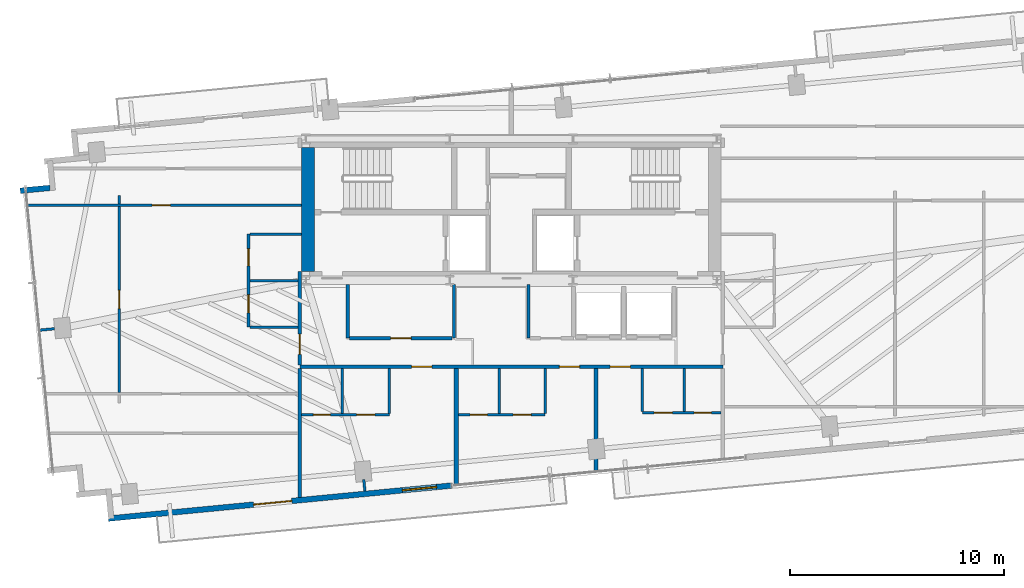
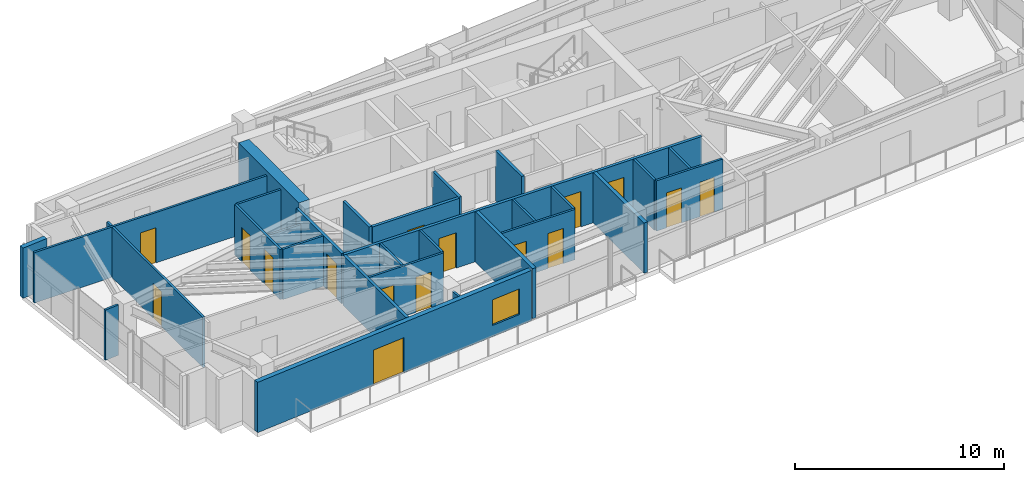
# One storey, part 13 of 18: 30 walls, 16 doors, 1 window, 17 openings.
"""IFC4 building model written with IfcOpenShell, lengths in metres."""

import ifcopenshell
import ifcopenshell.guid

model = None  # the IFC model being written
_history = None  # IfcOwnerHistory: only IFC2X3 demands one
_inside = {}  # id of a spatial element -> (the spatial element, [elements in it])
_under = {}  # id of a project, library or spatial element -> (it, [spatial elements below it])
_declared = {}  # id of a project -> (the project, [libraries it declares])
_typed = {}  # id of a type object -> (the type object, [elements of that type])
_made_of = {}  # id of a material, layer set ... -> (it, [elements and type objects made of it])


def new_model(schema):
    """Start an empty IFC model of exactly this schema.

    Asked for "IFC4X3", IfcOpenShell would pick the latest addendum, in which some entities
    have other attributes; the version numbers below select the first issue.
    IFC2X3 requires an IfcOwnerHistory on every rooted entity: one is made here for all.
    """
    global model, _history
    if schema == "IFC4X3":
        model = ifcopenshell.file(schema_version=(4, 3, 0, 0))
    else:
        model = ifcopenshell.file(schema=schema)
    _inside.clear()
    _under.clear()
    _declared.clear()
    _typed.clear()
    _made_of.clear()
    _history = None
    if model.schema == "IFC2X3":
        org = make("IfcOrganization", Name="unknown")
        user = make(
            "IfcPersonAndOrganization",
            ThePerson=make("IfcPerson", FamilyName="unknown"),
            TheOrganization=org,
        )
        app = make(
            "IfcApplication",
            ApplicationDeveloper=org,
            Version="unknown",
            ApplicationFullName="unknown",
            ApplicationIdentifier="unknown",
        )
        _history = make(
            "IfcOwnerHistory",
            OwningUser=user,
            OwningApplication=app,
            ChangeAction="ADDED",
            CreationDate=0,
        )
    return model


def make(cls, **values):
    """One entity of the class cls with the attributes given. An attribute that is None is left unset."""
    return model.create_entity(
        cls, **{name: value for name, value in values.items() if value is not None}
    )


def rooted(cls, **values):
    """An entity with a GlobalId (a new one), such as an element, a storey or a relation."""
    return make(cls, GlobalId=ifcopenshell.guid.new(), OwnerHistory=_history, **values)


def si_unit(unit_type, name, prefix=None):
    """IfcSIUnit, for example si_unit("LENGTHUNIT", "METRE", prefix="MILLI")."""
    return make("IfcSIUnit", UnitType=unit_type, Prefix=prefix, Name=name)


def assignment(units):
    """IfcUnitAssignment: the units of a project."""
    return None if units is None else make("IfcUnitAssignment", Units=units)


def point(xyz):
    """IfcCartesianPoint."""
    return None if xyz is None else make("IfcCartesianPoint", Coordinates=xyz)


def direction(xyz):
    """IfcDirection."""
    return None if xyz is None else make("IfcDirection", DirectionRatios=xyz)


def frame(location, z_axis=None, x_axis=None):
    """IfcAxis2Placement3D, a coordinate frame: its origin and axes. An axis left out is left unset."""
    return make(
        "IfcAxis2Placement3D",
        Location=point(location),
        Axis=direction(z_axis),
        RefDirection=direction(x_axis),
    )


def frame_2d(location, x_axis=None):
    """IfcAxis2Placement2D, a coordinate frame in the plane: its origin and x axis."""
    return make(
        "IfcAxis2Placement2D", Location=point(location), RefDirection=direction(x_axis)
    )


def origin():
    """The frame at (0, 0, 0) with its axes left unset."""
    return frame((0.0, 0.0, 0.0))


def place(relative_to, where):
    """IfcLocalPlacement: puts the frame where relative to a parent placement (None: the world)."""
    return make(
        "IfcLocalPlacement", PlacementRelTo=relative_to, RelativePlacement=where
    )


def context(
    kind, dimensions, precision=None, world=None, true_north=None, identifier=None
):
    """IfcGeometricRepresentationContext, for example the 3D "Model" context."""
    return make(
        "IfcGeometricRepresentationContext",
        ContextIdentifier=identifier,
        ContextType=kind,
        CoordinateSpaceDimension=dimensions,
        Precision=precision,
        WorldCoordinateSystem=world,
        TrueNorth=true_north,
    )


def subcontext(parent, identifier, kind, view, scale=None):
    """IfcGeometricRepresentationSubContext, for example "Body" below "Model"."""
    return make(
        "IfcGeometricRepresentationSubContext",
        ContextIdentifier=identifier,
        ContextType=kind,
        ParentContext=parent,
        TargetScale=scale,
        TargetView=view,
    )


def project(units=None, contexts=None):
    """IfcProject with its units and contexts."""
    return rooted(
        "IfcProject",
        Name="project",
        RepresentationContexts=contexts,
        UnitsInContext=assignment(units),
    )


def spatial(cls, under=None, at=None, **own):
    """A site, building, storey or space (cls), placed at a placement, below another one or the project."""
    s = rooted(cls, ObjectPlacement=at, **own)
    if under is not None:
        _under.setdefault(under.id(), (under, []))[1].append(s)
    return s


def profile(cls, at=None, kind="AREA", **sizes):
    """A parametric profile (cls). Its sizes go by their IFC names, for example OverallWidth=200.0."""
    return make(cls, ProfileType=kind, Position=at, **sizes)


def rectangle(**sizes):
    """IfcRectangleProfileDef."""
    return profile("IfcRectangleProfileDef", **sizes)


def extrude(swept, where, along, depth):
    """IfcExtrudedAreaSolid: the profile swept, set in the frame where, extruded along a direction by depth."""
    return make(
        "IfcExtrudedAreaSolid",
        SweptArea=swept,
        Position=where,
        ExtrudedDirection=direction(along),
        Depth=depth,
    )


def shape(context_of_items, identifier, shape_type, items):
    """IfcShapeRepresentation: the items that make up one representation, for example the "Body"."""
    return make(
        "IfcShapeRepresentation",
        ContextOfItems=context_of_items,
        RepresentationIdentifier=identifier,
        RepresentationType=shape_type,
        Items=items,
    )


def source(mapping_origin, context_of_items, identifier, shape_type, items):
    """IfcRepresentationMap: a shape defined once, which mapped items show again and again."""
    return make(
        "IfcRepresentationMap",
        MappingOrigin=mapping_origin,
        MappedRepresentation=shape(context_of_items, identifier, shape_type, items),
    )


def transform(
    local_origin,
    x_axis=None,
    y_axis=None,
    z_axis=None,
    scale=None,
    scale2=None,
    scale3=None,
    uniform=True,
):
    """IfcCartesianTransformationOperator3D, or its non-uniform kind. x_axis, y_axis, z_axis: its Axis1, 2, 3."""
    if uniform:
        return make(
            "IfcCartesianTransformationOperator3D",
            Axis1=direction(x_axis),
            Axis2=direction(y_axis),
            LocalOrigin=point(local_origin),
            Scale=scale,
            Axis3=direction(z_axis),
        )
    return make(
        "IfcCartesianTransformationOperator3DnonUniform",
        Axis1=direction(x_axis),
        Axis2=direction(y_axis),
        LocalOrigin=point(local_origin),
        Scale=scale,
        Axis3=direction(z_axis),
        Scale2=scale2,
        Scale3=scale3,
    )


def mapped(mapping_source, mapping_target):
    """IfcMappedItem: shows the shape of a source again, moved by a transform."""
    return make(
        "IfcMappedItem", MappingSource=mapping_source, MappingTarget=mapping_target
    )


def material(Name=None, Category=None):
    """IfcMaterial."""
    return make("IfcMaterial", Name=Name, Category=Category)


def layer(
    of_material, thickness, ventilated=None, Name=None, Category=None, Priority=None
):
    """IfcMaterialLayer: one layer of a wall or slab, of a material (None: an air gap)."""
    return make(
        "IfcMaterialLayer",
        Material=of_material,
        LayerThickness=thickness,
        IsVentilated=ventilated,
        Name=Name,
        Category=Category,
        Priority=Priority,
    )


def layer_set(layers, Name=None):
    """IfcMaterialLayerSet."""
    return make("IfcMaterialLayerSet", MaterialLayers=layers, LayerSetName=Name)


def made_of(thing, what):
    """Note that an element or type object is made of a material, layer set ...; save() writes the relation."""
    if what is not None:
        _made_of.setdefault(what.id(), (what, []))[1].append(thing)
    return thing


def type_object(cls, material=None, **own):
    """A type object (cls), such as IfcWallType, which elements share."""
    return made_of(rooted(cls, **own), material)


def type_shapes(of_type, sources):
    """Give a type object the sources (RepresentationMaps) that its elements show as mapped items."""
    of_type.RepresentationMaps = sources


def element(
    cls,
    number,
    at=None,
    inside=None,
    cuts=None,
    type_object=None,
    material=None,
    context=None,
    identifier="Body",
    shape_type=None,
    held_by="IfcProductDefinitionShape",
    body=None,
    shapes=None,
    **own,
):
    """One element of the class cls, such as IfcWall. Its Tag is "e" and its number.

    at: its placement. inside: the storey or other place that contains it. cuts: it is an
    opening in that element (IfcRelVoidsElement). A single representation is given by context,
    identifier, shape_type and body (its items); several are given by shapes. held_by: the class
    of the entity that holds the representations. save() writes the other relations.
    """
    e = rooted(cls, Tag="e%d" % number, ObjectPlacement=at, **own)
    if body is not None:
        shapes = [shape(context, identifier, shape_type, body)]
    if shapes is not None:
        e.Representation = make(held_by, Representations=shapes)
    if inside is not None:
        _inside.setdefault(inside.id(), (inside, []))[1].append(e)
    if cuts is not None:
        rooted(
            "IfcRelVoidsElement", RelatingBuildingElement=cuts, RelatedOpeningElement=e
        )
    if type_object is not None:
        _typed.setdefault(type_object.id(), (type_object, []))[1].append(e)
    return made_of(e, material)


def fill(opening, filler):
    """IfcRelFillsElement: the door or window that sits in an opening."""
    return rooted(
        "IfcRelFillsElement",
        RelatingOpeningElement=opening,
        RelatedBuildingElement=filler,
    )


def aggregate(whole, parts):
    """IfcRelAggregates: a whole, such as a stair, and the parts it consists of."""
    return rooted("IfcRelAggregates", RelatingObject=whole, RelatedObjects=parts)


def save(model, path):
    """Write the relations noted so far, then the file.

    IfcRelAggregates (storeys below a building ...), IfcRelContainedInSpatialStructure (elements
    in a storey), IfcRelDefinesByType, IfcRelAssociatesMaterial and IfcRelDeclares: one each for
    every whole, place, type object, material and project.
    """
    for whole, parts in _under.values():
        aggregate(whole, parts)
    for where, things in _inside.values():
        rooted(
            "IfcRelContainedInSpatialStructure",
            RelatedElements=things,
            RelatingStructure=where,
        )
    for kind, things in _typed.values():
        rooted("IfcRelDefinesByType", RelatedObjects=things, RelatingType=kind)
    for what, things in _made_of.values():
        rooted("IfcRelAssociatesMaterial", RelatedObjects=things, RelatingMaterial=what)
    for by, libraries in _declared.values():
        rooted("IfcRelDeclares", RelatingContext=by, RelatedDefinitions=libraries)
    model.write(path)


model = new_model("IFC4")

# Units and contexts
model_context = context("Model", 3, precision=1e-05, world=origin(), true_north=direction((0.0, 1.0)))
body_context = subcontext(model_context, "Body", "Model", "MODEL_VIEW")
ifc_project = project(units=[si_unit("LENGTHUNIT", "METRE"), si_unit("AREAUNIT", "SQUARE_METRE"), si_unit("VOLUMEUNIT", "CUBIC_METRE"), si_unit("PLANEANGLEUNIT", "RADIAN"), si_unit("MASSUNIT", "GRAM", prefix="KILO")], contexts=[model_context])

# Site, building, storey
site_placement = place(None, origin())
site = spatial("IfcSite", under=ifc_project, at=site_placement, CompositionType="ELEMENT")
building_placement = place(site_placement, origin())
building = spatial("IfcBuilding", under=site, at=building_placement, Name="Astriad Promenade Condominiums", CompositionType="ELEMENT")
storey_placement = place(building_placement, frame((0.0, 0.0, 198.60009765625)))
storey = spatial("IfcBuildingStorey", under=building, at=storey_placement, Name="L57", CompositionType="ELEMENT", Elevation=198.60009765625)

# Wall
ifc_material_1 = material(Name="Concrete C50/60", Category="concrete")
ifc_layer_1 = layer(ifc_material_1, 0.60009765625)
ifc_layer_set_1 = layer_set([ifc_layer_1], Name="Concrete C50/60")
wall_type_1 = type_object("IfcWallType", Name="CW-SHEAR-600", PredefinedType="SHEAR", material=ifc_layer_set_1)
wall_1_placement = place(storey_placement, frame((26.5, 17.802001953125, 0.0), z_axis=(0.0, 0.0, 1.0), x_axis=(0.0, 1.0, 0.0)))
element("IfcWall", 1, at=wall_1_placement, inside=storey, type_object=wall_type_1, Name="CW-CORE-W-L57", PredefinedType="SHEAR", context=body_context, shape_type="SweptSolid", body=[
    extrude(rectangle(XDim=5.7958984375, YDim=0.60009765625, at=frame_2d((2.89794921875, 0.0))), origin(), (0.0, 0.0, 1.0), 3.199951171875),
])

# Wall, openings, doors
ifc_material_2 = material(Name="Fire-Rated Gypsum Partition")
ifc_layer_2 = layer(ifc_material_2, 0.159912109375)
ifc_layer_set_2 = layer_set([ifc_layer_2], Name="Fire-Rated Gypsum Partition")
wall_type_2 = type_object("IfcWallType", Name="WALL-CORR-160", PredefinedType="PARTITIONING", material=ifc_layer_set_2)
wall_2_placement = place(storey_placement, frame((26.1201171875, 13.360107421875, 0.0), z_axis=(0.0, 0.0, 1.0), x_axis=(1.0, 0.0, 0.0)))
wall_2 = element("IfcWall", 2, at=wall_2_placement, inside=storey, type_object=wall_type_2, Name="PT-COR-S-L57", PredefinedType="PARTITIONING", context=body_context, shape_type="SweptSolid", body=[
    extrude(rectangle(XDim=19.759765625, YDim=0.159912109375, at=frame_2d((9.8798828125, 0.0))), origin(), (0.0, 0.0, 1.0), 2.93994140625),
])
opening_1_placement = place(wall_2_placement, frame((5.220947265625, 0.0, 0.0)))
opening_1 = element("IfcOpeningElement", 3, at=opening_1_placement, cuts=wall_2, Name="Opening FD60-APT-095", PredefinedType="OPENING", context=body_context, shape_type="SweptSolid", body=[
    extrude(rectangle(XDim=0.949951171875, YDim=2.06005859375, at=frame_2d((0.47509765625, 1.030029296875))), frame((0.0, 0.08984375, 0.0), z_axis=(0.0, -1.0, 0.0), x_axis=(1.0, 0.0, 0.0)), (0.0, 0.0, 1.0), 0.179931640625),
])
opening_2_placement = place(wall_2_placement, frame((12.118896484375, 0.0, 0.0)))
opening_2 = element("IfcOpeningElement", 4, at=opening_2_placement, cuts=wall_2, Name="Opening FD60-APT-095", PredefinedType="OPENING", context=body_context, shape_type="SweptSolid", body=[
    extrude(rectangle(XDim=0.949951171875, YDim=2.06005859375, at=frame_2d((0.47509765625, 1.030029296875))), frame((0.0, 0.08984375, 0.0), z_axis=(0.0, -1.0, 0.0), x_axis=(1.0, 0.0, 0.0)), (0.0, 0.0, 1.0), 0.179931640625),
])
opening_3_placement = place(wall_2_placement, frame((14.491943359375, 0.0, 0.0)))
opening_3 = element("IfcOpeningElement", 5, at=opening_3_placement, cuts=wall_2, Name="Opening FD60-APT-095", PredefinedType="OPENING", context=body_context, shape_type="SweptSolid", body=[
    extrude(rectangle(XDim=0.949951171875, YDim=2.06005859375, at=frame_2d((0.47509765625, 1.030029296875))), frame((0.0, 0.08984375, 0.0), z_axis=(0.0, -1.0, 0.0), x_axis=(1.0, 0.0, 0.0)), (0.0, 0.0, 1.0), 0.179931640625),
])
ifc_material_3 = material(Name="Solid-Core Acoustic Timber Residence Entry Door", Category="wood")
door_type_1 = type_object("IfcDoorType", Name="FD60-APT-095", OperationType="NOTDEFINED", PredefinedType="DOOR", material=ifc_material_3)
shared_shape_1 = source(origin(), body_context, "Body", "SweptSolid", [
    extrude(rectangle(XDim=0.949951171875, YDim=2.06005859375, at=frame_2d((0.47509765625, 1.030029296875))), frame((0.0, 0.02490234375, 0.0), z_axis=(0.0, -1.0, 0.0), x_axis=(1.0, 0.0, 0.0)), (0.0, 0.0, 1.0), 0.050048828125),
])
type_shapes(door_type_1, [shared_shape_1])
door_1_placement = place(opening_1_placement, origin())
door_1 = element("IfcDoor", 6, at=door_1_placement, inside=storey, type_object=door_type_1, Name="D-ENT-L57-S1", OperationType="SINGLE_SWING_LEFT", OverallHeight=2.06005859375, OverallWidth=0.949951171875, PredefinedType="DOOR", context=body_context, shape_type="MappedRepresentation", body=[
    mapped(shared_shape_1, transform((0.0, 0.0, 0.0), scale=1.0)),
])
fill(opening_1, door_1)
door_2_placement = place(opening_2_placement, origin())
door_2 = element("IfcDoor", 7, at=door_2_placement, inside=storey, type_object=door_type_1, Name="D-ENT-L57-S2", OperationType="SINGLE_SWING_RIGHT", OverallHeight=2.06005859375, OverallWidth=0.949951171875, PredefinedType="DOOR", context=body_context, shape_type="MappedRepresentation", body=[
    mapped(shared_shape_1, transform((0.0, 0.0, 0.0), scale=1.0)),
])
fill(opening_2, door_2)
door_3_placement = place(opening_3_placement, origin())
door_3 = element("IfcDoor", 8, at=door_3_placement, inside=storey, type_object=door_type_1, Name="D-ENT-L57-S3", OperationType="SINGLE_SWING_LEFT", OverallHeight=2.06005859375, OverallWidth=0.949951171875, PredefinedType="DOOR", context=body_context, shape_type="MappedRepresentation", body=[
    mapped(shared_shape_1, transform((0.0, 0.0, 0.0), scale=1.0)),
])
fill(opening_3, door_3)

# Wall
wall_3_placement = place(storey_placement, frame((26.1201171875, 7.26123046875, 0.0), z_axis=(0.0, 0.0, 1.0), x_axis=(0.0, 1.0, 0.0)))
element("IfcWall", 9, at=wall_3_placement, inside=storey, type_object=wall_type_2, Name="PT-COR-W-L57", PredefinedType="PARTITIONING", context=body_context, shape_type="SweptSolid", body=[
    extrude(rectangle(XDim=6.016845703125, YDim=0.159912109375, at=frame_2d((3.00830078125, 0.0))), origin(), (0.0, 0.0, 1.0), 2.93994140625),
])

# Wall, opening, door
wall_4_placement = place(storey_placement, frame((26.1201171875, 13.44189453125, 0.0), z_axis=(0.0, 0.0, 1.0), x_axis=(0.0, 1.0, 0.0)))
wall_4 = element("IfcWall", 10, at=wall_4_placement, inside=storey, type_object=wall_type_2, Name="PT-COR-W-L57-S2", PredefinedType="PARTITIONING", context=body_context, shape_type="SweptSolid", body=[
    extrude(rectangle(XDim=4.360107421875, YDim=0.159912109375, at=frame_2d((2.18017578125, 0.0))), origin(), (0.0, 0.0, 1.0), 2.93994140625),
])
opening_4_placement = place(wall_4_placement, frame((0.492919921875, 0.0, 0.0)))
opening_4 = element("IfcOpeningElement", 11, at=opening_4_placement, cuts=wall_4, Name="Opening FD60-APT-095", PredefinedType="OPENING", context=body_context, shape_type="SweptSolid", body=[
    extrude(rectangle(XDim=0.949951171875, YDim=2.06005859375, at=frame_2d((0.47509765625, 1.030029296875))), frame((0.0, 0.08984375, 0.0), z_axis=(0.0, -1.0, 0.0), x_axis=(1.0, 0.0, 0.0)), (0.0, 0.0, 1.0), 0.179931640625),
])
door_4_placement = place(opening_4_placement, origin())
door_4 = element("IfcDoor", 12, at=door_4_placement, inside=storey, type_object=door_type_1, Name="D-ENT-L57-W1", OperationType="SINGLE_SWING_RIGHT", OverallHeight=2.06005859375, OverallWidth=0.949951171875, PredefinedType="DOOR", context=body_context, shape_type="MappedRepresentation", body=[
    mapped(shared_shape_1, transform((0.0, 0.0, 0.0), scale=1.0)),
])
fill(opening_4, door_4)

# Walls
for number, where, z_axis, x_axis, name in (
    (13, (28.360107421875, 14.699951171875, 0.0), (0.0, 0.0, 1.0), (0.0, 1.0, 0.0), "PT-Z3REC-W-L57"),
    (14, (33.320068359375, 14.699951171875, 0.0), (0.0, 0.0, 1.0), (0.0, 1.0, 0.0), "PT-Z3REC-E-L57"),
):
    element("IfcWall", number, at=place(storey_placement, frame(where, z_axis=z_axis, x_axis=x_axis)), inside=storey, type_object=wall_type_2, Name=name, PredefinedType="PARTITIONING", context=body_context, shape_type="SweptSolid", body=[
        extrude(rectangle(XDim=2.498046875, YDim=0.159912109375, at=frame_2d((1.2490234375, 0.0))), origin(), (0.0, 0.0, 1.0), 2.93994140625),
    ])

# Wall, opening, door
wall_5_placement = place(storey_placement, frame((28.44189453125, 14.699951171875, 0.0), z_axis=(0.0, 0.0, 1.0), x_axis=(1.0, 0.0, 0.0)))
wall_5 = element("IfcWall", 15, at=wall_5_placement, inside=storey, type_object=wall_type_2, Name="PT-Z3REC-S-L57", PredefinedType="PARTITIONING", context=body_context, shape_type="SweptSolid", body=[
    extrude(rectangle(XDim=4.796142578125, YDim=0.159912109375, at=frame_2d((2.39794921875, 0.0))), origin(), (0.0, 0.0, 1.0), 2.93994140625),
])
opening_5_placement = place(wall_5_placement, frame((1.923095703125, 0.0, 0.0)))
opening_5 = element("IfcOpeningElement", 16, at=opening_5_placement, cuts=wall_5, Name="Opening FD60-APT-095", PredefinedType="OPENING", context=body_context, shape_type="SweptSolid", body=[
    extrude(rectangle(XDim=0.949951171875, YDim=2.06005859375, at=frame_2d((0.47509765625, 1.030029296875))), frame((0.0, 0.08984375, 0.0), z_axis=(0.0, -1.0, 0.0), x_axis=(1.0, 0.0, 0.0)), (0.0, 0.0, 1.0), 0.179931640625),
])
door_5_placement = place(opening_5_placement, origin())
door_5 = element("IfcDoor", 17, at=door_5_placement, inside=storey, type_object=door_type_1, Name="D-Z3R-L57", OperationType="SINGLE_SWING_LEFT", OverallHeight=2.06005859375, OverallWidth=0.949951171875, PredefinedType="DOOR", context=body_context, shape_type="MappedRepresentation", body=[
    mapped(shared_shape_1, transform((0.0, 0.0, 0.0), scale=1.0)),
])
fill(opening_5, door_5)

# Walls
wall_6_placement = place(storey_placement, frame((36.800048828125, 14.699951171875, 0.0), z_axis=(0.0, 0.0, 1.0), x_axis=(0.0, 1.0, 0.0)))
element("IfcWall", 18, at=wall_6_placement, inside=storey, type_object=wall_type_2, Name="PT-Z3R2-W-L57", PredefinedType="PARTITIONING", context=body_context, shape_type="SweptSolid", body=[
    extrude(rectangle(XDim=2.498046875, YDim=0.159912109375, at=frame_2d((1.2490234375, 0.0))), origin(), (0.0, 0.0, 1.0), 2.93994140625),
])
ifc_material_4 = material(Name="Acoustic Double-Stud Gypsum Partition")
ifc_layer_3 = layer(ifc_material_4, 0.199951171875)
ifc_layer_set_3 = layer_set([ifc_layer_3], Name="Acoustic Double-Stud Gypsum Partition")
wall_type_3 = type_object("IfcWallType", Name="WALL-DEMISING-200", PredefinedType="PARTITIONING", material=ifc_layer_set_3)
wall_7_placement = place(storey_placement, frame((33.430908203125, 7.7822265625, 0.0), z_axis=(0.0, 0.0, 1.0), x_axis=(0.0, 1.0, 0.0)))
element("IfcWall", 19, at=wall_7_placement, inside=storey, type_object=wall_type_3, Name="PT-DEM-S1-L57", PredefinedType="PARTITIONING", context=body_context, shape_type="SweptSolid", body=[
    extrude(rectangle(XDim=5.495849609375, YDim=0.199951171875, at=frame_2d((2.748046875, 0.0))), origin(), (0.0, 0.0, 1.0), 2.93994140625),
])
wall_8_placement = place(storey_placement, frame((39.951904296875, 8.41015625, 0.0), z_axis=(0.0, 0.0, 1.0), x_axis=(0.0, 1.0, 0.0)))
element("IfcWall", 20, at=wall_8_placement, inside=storey, type_object=wall_type_3, Name="PT-DEM-S2-L57", PredefinedType="PARTITIONING", context=body_context, shape_type="SweptSolid", body=[
    extrude(rectangle(XDim=4.867919921875, YDim=0.199951171875, at=frame_2d((2.43408203125, 0.0))), origin(), (0.0, 0.0, 1.0), 2.93994140625),
])
ifc_material_5 = material(Name="Precast concrete C50/60", Category="concrete")
ifc_layer_4 = layer(ifc_material_5, 0.260009765625)
ifc_layer_set_4 = layer_set([ifc_layer_4], Name="Precast concrete C50/60")
wall_type_4 = type_object("IfcWallType", Name="WALL-EXT-TWR-260", PredefinedType="STANDARD", material=ifc_layer_set_4)
wall_9_placement = place(storey_placement, frame((13.058349609375, 21.583251953125, 0.0), z_axis=(0.0, 0.0, 1.0), x_axis=(0.99540774648, 0.095725744959, 0.0)))
element("IfcWall", 21, at=wall_9_placement, inside=storey, type_object=wall_type_4, Name="W-SER-L57-04", PredefinedType="STANDARD", context=body_context, shape_type="SweptSolid", body=[
    extrude(rectangle(XDim=1.39501953125, YDim=0.260009765625, at=frame_2d((0.697509765625, 0.0))), origin(), (0.0, 0.0, 1.0), 2.93994140625),
])

# Wall, openings, door, window
wall_10_placement = place(storey_placement, frame((33.201171875, 7.810302734375, 0.0), z_axis=(0.0, 0.0, 1.0), x_axis=(-0.995397074604, -0.095836652014, 0.0)))
wall_10 = element("IfcWall", 22, at=wall_10_placement, inside=storey, type_object=wall_type_4, Name="W-EXT-L57-S2", PredefinedType="STANDARD", context=body_context, shape_type="SweptSolid", body=[
    extrude(rectangle(XDim=16.10009765625, YDim=0.260009765625, at=frame_2d((8.050048828125, 0.0))), origin(), (0.0, 0.0, 1.0), 2.93994140625),
])
opening_6_placement = place(wall_10_placement, frame((7.489990234375, 0.0, 0.0)))
opening_6 = element("IfcOpeningElement", 23, at=opening_6_placement, cuts=wall_10, Name="Opening BD-1822-SLD", PredefinedType="OPENING", context=body_context, shape_type="SweptSolid", body=[
    extrude(rectangle(XDim=1.800048828125, YDim=2.06005859375, at=frame_2d((0.89990234375, 1.030029296875))), frame((0.0, 0.139892578125, 0.0), z_axis=(0.0, -1.0, 0.0), x_axis=(1.0, 0.0, 0.0)), (0.0, 0.0, 1.0), 0.280029296875),
])
opening_7_placement = place(wall_10_placement, frame((0.699951171875, 0.0, 0.64990234375)))
opening_7 = element("IfcOpeningElement", 24, at=opening_7_placement, cuts=wall_10, Name="Opening WIN-TWR-1620", PredefinedType="OPENING", context=body_context, shape_type="SweptSolid", body=[
    extrude(rectangle(XDim=1.60009765625, YDim=1.5, at=frame_2d((0.800048828125, 0.75))), frame((0.0, 0.139892578125, 0.0), z_axis=(0.0, -1.0, 0.0), x_axis=(1.0, 0.0, 0.0)), (0.0, 0.0, 1.0), 0.280029296875),
])
ifc_material_6 = material(Name="Thermally Broken Aluminium Sliding Balcony Door", Category="aluminium")
door_type_2 = type_object("IfcDoorType", Name="BD-1822-SLD", OperationType="NOTDEFINED", PredefinedType="DOOR", material=ifc_material_6)
shared_shape_2 = source(origin(), body_context, "Body", "SweptSolid", [
    extrude(rectangle(XDim=1.800048828125, YDim=2.06005859375, at=frame_2d((0.89990234375, 1.030029296875))), frame((0.0, 0.02490234375, 0.0), z_axis=(0.0, -1.0, 0.0), x_axis=(1.0, 0.0, 0.0)), (0.0, 0.0, 1.0), 0.050048828125),
])
type_shapes(door_type_2, [shared_shape_2])
door_6_placement = place(opening_6_placement, origin())
door_6 = element("IfcDoor", 25, at=door_6_placement, inside=storey, type_object=door_type_2, Name="BD-L57-SW", OperationType="SLIDING_TO_LEFT", OverallHeight=2.06005859375, OverallWidth=1.800048828125, PredefinedType="DOOR", context=body_context, shape_type="MappedRepresentation", body=[
    mapped(shared_shape_2, transform((0.0, 0.0, 0.0), scale=1.0)),
])
fill(opening_6, door_6)
ifc_material_7 = material(Name="Dark Tinted Triple-Glazed Aluminium Window", Category="aluminium")
window_type = type_object("IfcWindowType", Name="WIN-TWR-1620", PartitioningType="SINGLE_PANEL", PredefinedType="WINDOW", material=ifc_material_7)
shared_shape_3 = source(origin(), body_context, "Body", "SweptSolid", [
    extrude(rectangle(XDim=1.60009765625, YDim=1.5, at=frame_2d((0.800048828125, 0.75))), frame((0.0, 0.030029296875, 0.0), z_axis=(0.0, -1.0, 0.0), x_axis=(1.0, 0.0, 0.0)), (0.0, 0.0, 1.0), 0.06005859375),
])
type_shapes(window_type, [shared_shape_3])
window_placement = place(opening_7_placement, origin())
window = element("IfcWindow", 26, at=window_placement, inside=storey, type_object=window_type, Name="WIN-L57-SW", OverallHeight=1.5, OverallWidth=1.60009765625, PartitioningType="SINGLE_PANEL", PredefinedType="WINDOW", context=body_context, shape_type="MappedRepresentation", body=[
    mapped(shared_shape_3, transform((0.0, 0.0, 0.0), scale=1.0)),
])
fill(opening_7, window)

# Wall, openings, doors
ifc_material_8 = material(Name="Acoustic Metal-Stud Gypsum Partition")
ifc_layer_5 = layer(ifc_material_8, 0.1201171875)
ifc_layer_set_5 = layer_set([ifc_layer_5], Name="Acoustic Metal-Stud Gypsum Partition")
wall_type_5 = type_object("IfcWallType", Name="WALL-PART-120", PredefinedType="PARTITIONING", material=ifc_layer_set_5)
wall_11_placement = place(storey_placement, frame((26.201904296875, 11.110107421875, 0.0), z_axis=(0.0, 0.0, 1.0), x_axis=(1.0, 0.0, 0.0)))
wall_11 = element("IfcWall", 27, at=wall_11_placement, inside=storey, type_object=wall_type_5, Name="PT-L57-S1-PS", PredefinedType="PARTITIONING", context=body_context, shape_type="SweptSolid", body=[
    extrude(rectangle(XDim=4.09814453125, YDim=0.1201171875, at=frame_2d((2.049072265625, 0.0))), origin(), (0.0, 0.0, 1.0), 2.93994140625),
])
opening_8_placement = place(wall_11_placement, frame((0.548095703125, 0.0, 0.0)))
opening_8 = element("IfcOpeningElement", 28, at=opening_8_placement, cuts=wall_11, Name="Opening D-WET-080", PredefinedType="OPENING", context=body_context, shape_type="SweptSolid", body=[
    extrude(rectangle(XDim=0.800048828125, YDim=2.02001953125, at=frame_2d((0.39990234375, 1.010009765625))), frame((0.0, 0.070068359375, 0.0), z_axis=(0.0, -1.0, 0.0), x_axis=(1.0, 0.0, 0.0)), (0.0, 0.0, 1.0), 0.14013671875),
])
opening_9_placement = place(wall_11_placement, frame((2.572998046875, 0.0, 0.0)))
opening_9 = element("IfcOpeningElement", 29, at=opening_9_placement, cuts=wall_11, Name="Opening D-INT-085", PredefinedType="OPENING", context=body_context, shape_type="SweptSolid", body=[
    extrude(rectangle(XDim=0.85009765625, YDim=2.050048828125, at=frame_2d((0.425048828125, 1.02490234375))), frame((0.0, 0.070068359375, 0.0), z_axis=(0.0, -1.0, 0.0), x_axis=(1.0, 0.0, 0.0)), (0.0, 0.0, 1.0), 0.14013671875),
])
ifc_material_9 = material(Name="Moisture-Resistant Timber Bathroom Door", Category="wood")
door_type_3 = type_object("IfcDoorType", Name="D-WET-080", OperationType="NOTDEFINED", PredefinedType="DOOR", material=ifc_material_9)
shared_shape_4 = source(origin(), body_context, "Body", "SweptSolid", [
    extrude(rectangle(XDim=0.800048828125, YDim=2.02001953125, at=frame_2d((0.39990234375, 1.010009765625))), frame((0.0, 0.02490234375, 0.0), z_axis=(0.0, -1.0, 0.0), x_axis=(1.0, 0.0, 0.0)), (0.0, 0.0, 1.0), 0.050048828125),
])
type_shapes(door_type_3, [shared_shape_4])
door_7_placement = place(opening_8_placement, origin())
door_7 = element("IfcDoor", 30, at=door_7_placement, inside=storey, type_object=door_type_3, Name="D-BTH-L57-S1", OperationType="SINGLE_SWING_RIGHT", OverallHeight=2.02001953125, OverallWidth=0.800048828125, PredefinedType="DOOR", context=body_context, shape_type="MappedRepresentation", body=[
    mapped(shared_shape_4, transform((0.0, 0.0, 0.0), scale=1.0)),
])
fill(opening_8, door_7)
ifc_material_10 = material(Name="Painted Solid-Core Timber Room Door", Category="wood")
door_type_4 = type_object("IfcDoorType", Name="D-INT-085", OperationType="NOTDEFINED", PredefinedType="DOOR", material=ifc_material_10)
shared_shape_5 = source(origin(), body_context, "Body", "SweptSolid", [
    extrude(rectangle(XDim=0.85009765625, YDim=2.050048828125, at=frame_2d((0.425048828125, 1.02490234375))), frame((0.0, 0.02490234375, 0.0), z_axis=(0.0, -1.0, 0.0), x_axis=(1.0, 0.0, 0.0)), (0.0, 0.0, 1.0), 0.050048828125),
])
type_shapes(door_type_4, [shared_shape_5])
door_8_placement = place(opening_9_placement, origin())
door_8 = element("IfcDoor", 31, at=door_8_placement, inside=storey, type_object=door_type_4, Name="D-KIT-L57-S1", OperationType="SINGLE_SWING_LEFT", OverallHeight=2.050048828125, OverallWidth=0.85009765625, PredefinedType="DOOR", context=body_context, shape_type="MappedRepresentation", body=[
    mapped(shared_shape_5, transform((0.0, 0.0, 0.0), scale=1.0)),
])
fill(opening_9, door_8)

# Walls
for number, where, z_axis, x_axis, name in (
    (32, (30.300048828125, 11.172119140625, 0.0), (0.0, 0.0, 1.0), (0.0, 1.0, 0.0), "PT-L57-S1-PK"),
    (33, (28.10009765625, 11.172119140625, 0.0), (0.0, 0.0, 1.0), (0.0, 1.0, 0.0), "PT-L57-S1-PB"),
):
    element("IfcWall", number, at=place(storey_placement, frame(where, z_axis=z_axis, x_axis=x_axis)), inside=storey, type_object=wall_type_5, Name=name, PredefinedType="PARTITIONING", context=body_context, shape_type="SweptSolid", body=[
        extrude(rectangle(XDim=2.10595703125, YDim=0.1201171875, at=frame_2d((1.052978515625, 0.0))), origin(), (0.0, 0.0, 1.0), 2.93994140625),
    ])

# Wall, openings, doors
wall_12_placement = place(storey_placement, frame((33.532958984375, 11.110107421875, 0.0), z_axis=(0.0, 0.0, 1.0), x_axis=(1.0, 0.0, 0.0)))
wall_12 = element("IfcWall", 34, at=wall_12_placement, inside=storey, type_object=wall_type_5, Name="PT-L57-S2-PS", PredefinedType="PARTITIONING", context=body_context, shape_type="SweptSolid", body=[
    extrude(rectangle(XDim=4.04296875, YDim=0.1201171875, at=frame_2d((2.021484375, 0.0))), origin(), (0.0, 0.0, 1.0), 2.93994140625),
])
opening_10_placement = place(wall_12_placement, frame((0.5458984375, 0.0, 0.0)))
opening_10 = element("IfcOpeningElement", 35, at=opening_10_placement, cuts=wall_12, Name="Opening D-WET-080", PredefinedType="OPENING", context=body_context, shape_type="SweptSolid", body=[
    extrude(rectangle(XDim=0.800048828125, YDim=2.02001953125, at=frame_2d((0.39990234375, 1.010009765625))), frame((0.0, 0.070068359375, 0.0), z_axis=(0.0, -1.0, 0.0), x_axis=(1.0, 0.0, 0.0)), (0.0, 0.0, 1.0), 0.14013671875),
])
opening_11_placement = place(wall_12_placement, frame((2.5439453125, 0.0, 0.0)))
opening_11 = element("IfcOpeningElement", 36, at=opening_11_placement, cuts=wall_12, Name="Opening D-INT-085", PredefinedType="OPENING", context=body_context, shape_type="SweptSolid", body=[
    extrude(rectangle(XDim=0.85009765625, YDim=2.050048828125, at=frame_2d((0.425048828125, 1.02490234375))), frame((0.0, 0.070068359375, 0.0), z_axis=(0.0, -1.0, 0.0), x_axis=(1.0, 0.0, 0.0)), (0.0, 0.0, 1.0), 0.14013671875),
])
door_9_placement = place(opening_10_placement, origin())
door_9 = element("IfcDoor", 37, at=door_9_placement, inside=storey, type_object=door_type_3, Name="D-BTH-L57-S2", OperationType="SINGLE_SWING_LEFT", OverallHeight=2.02001953125, OverallWidth=0.800048828125, PredefinedType="DOOR", context=body_context, shape_type="MappedRepresentation", body=[
    mapped(shared_shape_4, transform((0.0, 0.0, 0.0), scale=1.0)),
])
fill(opening_10, door_9)
door_10_placement = place(opening_11_placement, origin())
door_10 = element("IfcDoor", 38, at=door_10_placement, inside=storey, type_object=door_type_4, Name="D-KIT-L57-S2", OperationType="SINGLE_SWING_RIGHT", OverallHeight=2.050048828125, OverallWidth=0.85009765625, PredefinedType="DOOR", context=body_context, shape_type="MappedRepresentation", body=[
    mapped(shared_shape_5, transform((0.0, 0.0, 0.0), scale=1.0)),
])
fill(opening_11, door_10)

# Walls
for number, where, z_axis, x_axis, name in (
    (39, (37.575927734375, 11.172119140625, 0.0), (0.0, 0.0, 1.0), (0.0, 1.0, 0.0), "PT-L57-S2-PK"),
    (40, (35.427001953125, 11.172119140625, 0.0), (0.0, 0.0, 1.0), (0.0, 1.0, 0.0), "PT-L57-S2-PB"),
):
    element("IfcWall", number, at=place(storey_placement, frame(where, z_axis=z_axis, x_axis=x_axis)), inside=storey, type_object=wall_type_5, Name=name, PredefinedType="PARTITIONING", context=body_context, shape_type="SweptSolid", body=[
        extrude(rectangle(XDim=2.10595703125, YDim=0.1201171875, at=frame_2d((1.052978515625, 0.0))), origin(), (0.0, 0.0, 1.0), 2.93994140625),
    ])

# Wall, openings, doors
wall_13_placement = place(storey_placement, frame((42.1220703125, 11.217041015625, 0.0), z_axis=(0.0, 0.0, 1.0), x_axis=(1.0, 0.0, 0.0)))
wall_13 = element("IfcWall", 41, at=wall_13_placement, inside=storey, type_object=wall_type_5, Name="PT-L57-S3-PS", PredefinedType="PARTITIONING", context=body_context, shape_type="SweptSolid", body=[
    extrude(rectangle(XDim=3.676025390625, YDim=0.1201171875, at=frame_2d((1.837890625, 0.0))), origin(), (0.0, 0.0, 1.0), 2.93994140625),
])
opening_12_placement = place(wall_13_placement, frame((0.552001953125, 0.0, 0.0)))
opening_12 = element("IfcOpeningElement", 42, at=opening_12_placement, cuts=wall_13, Name="Opening D-INT-085", PredefinedType="OPENING", context=body_context, shape_type="SweptSolid", body=[
    extrude(rectangle(XDim=0.85009765625, YDim=2.050048828125, at=frame_2d((0.425048828125, 1.02490234375))), frame((0.0, 0.070068359375, 0.0), z_axis=(0.0, -1.0, 0.0), x_axis=(1.0, 0.0, 0.0)), (0.0, 0.0, 1.0), 0.14013671875),
])
opening_13_placement = place(wall_13_placement, frame((2.416015625, 0.0, 0.0)))
opening_13 = element("IfcOpeningElement", 43, at=opening_13_placement, cuts=wall_13, Name="Opening D-WET-080", PredefinedType="OPENING", context=body_context, shape_type="SweptSolid", body=[
    extrude(rectangle(XDim=0.800048828125, YDim=2.02001953125, at=frame_2d((0.39990234375, 1.010009765625))), frame((0.0, 0.070068359375, 0.0), z_axis=(0.0, -1.0, 0.0), x_axis=(1.0, 0.0, 0.0)), (0.0, 0.0, 1.0), 0.14013671875),
])
door_11_placement = place(opening_13_placement, origin())
door_11 = element("IfcDoor", 44, at=door_11_placement, inside=storey, type_object=door_type_3, Name="D-BTH-L57-S3", OperationType="SINGLE_SWING_LEFT", OverallHeight=2.02001953125, OverallWidth=0.800048828125, PredefinedType="DOOR", context=body_context, shape_type="MappedRepresentation", body=[
    mapped(shared_shape_4, transform((0.0, 0.0, 0.0), scale=1.0)),
])
fill(opening_13, door_11)
door_12_placement = place(opening_12_placement, origin())
door_12 = element("IfcDoor", 45, at=door_12_placement, inside=storey, type_object=door_type_4, Name="D-KIT-L57-S3", OperationType="SINGLE_SWING_RIGHT", OverallHeight=2.050048828125, OverallWidth=0.85009765625, PredefinedType="DOOR", context=body_context, shape_type="MappedRepresentation", body=[
    mapped(shared_shape_5, transform((0.0, 0.0, 0.0), scale=1.0)),
])
fill(opening_12, door_12)

# Walls
for number, where, z_axis, x_axis, name in (
    (46, (42.1220703125, 11.279052734375, 0.0), (0.0, 0.0, 1.0), (0.0, 1.0, 0.0), "PT-L57-S3-PK"),
    (47, (44.075927734375, 11.279052734375, 0.0), (0.0, 0.0, 1.0), (0.0, 1.0, 0.0), "PT-L57-S3-PB"),
):
    element("IfcWall", number, at=place(storey_placement, frame(where, z_axis=z_axis, x_axis=x_axis)), inside=storey, type_object=wall_type_5, Name=name, PredefinedType="PARTITIONING", context=body_context, shape_type="SweptSolid", body=[
        extrude(rectangle(XDim=1.9990234375, YDim=0.1201171875, at=frame_2d((0.99951171875, 0.0))), origin(), (0.0, 0.0, 1.0), 2.93994140625),
    ])

# Wall, openings, doors
wall_14_placement = place(storey_placement, frame((23.719970703125, 15.2099609375, 0.0), z_axis=(0.0, 0.0, 1.0), x_axis=(0.0, 1.0, 0.0)))
wall_14 = element("IfcWall", 48, at=wall_14_placement, inside=storey, type_object=wall_type_5, Name="PT-L57-W1-PV", PredefinedType="PARTITIONING", context=body_context, shape_type="SweptSolid", body=[
    extrude(rectangle(XDim=4.35009765625, YDim=0.1201171875, at=frame_2d((2.175048828125, 0.0))), origin(), (0.0, 0.0, 1.0), 2.93994140625),
])
opening_14_placement = place(wall_14_placement, frame((0.662109375, 0.0, 0.0)))
opening_14 = element("IfcOpeningElement", 49, at=opening_14_placement, cuts=wall_14, Name="Opening D-INT-085", PredefinedType="OPENING", context=body_context, shape_type="SweptSolid", body=[
    extrude(rectangle(XDim=0.85009765625, YDim=2.050048828125, at=frame_2d((0.425048828125, 1.02490234375))), frame((0.0, 0.070068359375, 0.0), z_axis=(0.0, -1.0, 0.0), x_axis=(1.0, 0.0, 0.0)), (0.0, 0.0, 1.0), 0.14013671875),
])
opening_15_placement = place(wall_14_placement, frame((2.863037109375, 0.0, 0.0)))
opening_15 = element("IfcOpeningElement", 50, at=opening_15_placement, cuts=wall_14, Name="Opening D-WET-080", PredefinedType="OPENING", context=body_context, shape_type="SweptSolid", body=[
    extrude(rectangle(XDim=0.800048828125, YDim=2.02001953125, at=frame_2d((0.39990234375, 1.010009765625))), frame((0.0, 0.070068359375, 0.0), z_axis=(0.0, -1.0, 0.0), x_axis=(1.0, 0.0, 0.0)), (0.0, 0.0, 1.0), 0.14013671875),
])
door_13_placement = place(opening_15_placement, origin())
door_13 = element("IfcDoor", 51, at=door_13_placement, inside=storey, type_object=door_type_3, Name="D-BTH-L57-W1", OperationType="SINGLE_SWING_RIGHT", OverallHeight=2.02001953125, OverallWidth=0.800048828125, PredefinedType="DOOR", context=body_context, shape_type="MappedRepresentation", body=[
    mapped(shared_shape_4, transform((0.0, 0.0, 0.0), scale=1.0)),
])
fill(opening_15, door_13)
door_14_placement = place(opening_14_placement, origin())
door_14 = element("IfcDoor", 52, at=door_14_placement, inside=storey, type_object=door_type_4, Name="D-KIT-L57-W1", OperationType="SINGLE_SWING_LEFT", OverallHeight=2.050048828125, OverallWidth=0.85009765625, PredefinedType="DOOR", context=body_context, shape_type="MappedRepresentation", body=[
    mapped(shared_shape_5, transform((0.0, 0.0, 0.0), scale=1.0)),
])
fill(opening_14, door_14)

# Walls
wall_15_placement = place(storey_placement, frame((23.781982421875, 17.385009765625, 0.0), z_axis=(0.0, 0.0, 1.0), x_axis=(1.0, 0.0, 0.0)))
element("IfcWall", 53, at=wall_15_placement, inside=storey, type_object=wall_type_5, Name="PT-L57-W1-PM", PredefinedType="PARTITIONING", context=body_context, shape_type="SweptSolid", body=[
    extrude(rectangle(XDim=2.256103515625, YDim=0.1201171875, at=frame_2d((1.1279296875, 0.0))), origin(), (0.0, 0.0, 1.0), 2.28125),
])
wall_16_placement = place(storey_placement, frame((23.781982421875, 15.2099609375, 0.0), z_axis=(0.0, 0.0, 1.0), x_axis=(1.0, 0.0, 0.0)))
element("IfcWall", 54, at=wall_16_placement, inside=storey, type_object=wall_type_5, Name="PT-L57-W1-PS", PredefinedType="PARTITIONING", context=body_context, shape_type="SweptSolid", body=[
    extrude(rectangle(XDim=2.256103515625, YDim=0.1201171875, at=frame_2d((1.1279296875, 0.0))), origin(), (0.0, 0.0, 1.0), 2.93994140625),
])
wall_17_placement = place(storey_placement, frame((23.781982421875, 19.56005859375, 0.0), z_axis=(0.0, 0.0, 1.0), x_axis=(1.0, 0.0, 0.0)))
element("IfcWall", 55, at=wall_17_placement, inside=storey, type_object=wall_type_5, Name="PT-L57-W1-PN", PredefinedType="PARTITIONING", context=body_context, shape_type="SweptSolid", body=[
    extrude(rectangle(XDim=2.416015625, YDim=0.1201171875, at=frame_2d((1.2080078125, 0.0))), origin(), (0.0, 0.0, 1.0), 2.93994140625),
])

# Wall, opening, door
wall_18_placement = place(storey_placement, frame((13.333984375, 20.910888671875, 0.0), z_axis=(0.0, 0.0, 1.0), x_axis=(1.0, 0.0, 0.0)))
wall_18 = element("IfcWall", 56, at=wall_18_placement, inside=storey, type_object=wall_type_5, Name="PT-L57-W1-WDN4", PredefinedType="PARTITIONING", context=body_context, shape_type="SweptSolid", body=[
    extrude(rectangle(XDim=12.864013671875, YDim=0.1201171875, at=frame_2d((6.43212890625, 0.0))), origin(), (0.0, 0.0, 1.0), 2.93994140625),
])
opening_16_placement = place(wall_18_placement, frame((5.881103515625, 0.0, 0.0)))
opening_16 = element("IfcOpeningElement", 57, at=opening_16_placement, cuts=wall_18, Name="Opening D-INT-085", PredefinedType="OPENING", context=body_context, shape_type="SweptSolid", body=[
    extrude(rectangle(XDim=0.85009765625, YDim=2.050048828125, at=frame_2d((0.425048828125, 1.02490234375))), frame((0.0, 0.070068359375, 0.0), z_axis=(0.0, -1.0, 0.0), x_axis=(1.0, 0.0, 0.0)), (0.0, 0.0, 1.0), 0.14013671875),
])
door_15_placement = place(opening_16_placement, origin())
door_15 = element("IfcDoor", 58, at=door_15_placement, inside=storey, type_object=door_type_4, Name="D-WDN4-L57-W1", OperationType="SINGLE_SWING_RIGHT", OverallHeight=2.050048828125, OverallWidth=0.85009765625, PredefinedType="DOOR", context=body_context, shape_type="MappedRepresentation", body=[
    mapped(shared_shape_5, transform((0.0, 0.0, 0.0), scale=1.0)),
])
fill(opening_16, door_15)

wall_19_placement = place(storey_placement, frame((17.68798828125, 12.159912109375, 0.0), z_axis=(0.0, 0.0, 1.0), x_axis=(0.0, 1.0, 0.0)))
wall_19 = element("IfcWall", 59, at=wall_19_placement, inside=storey, type_object=wall_type_5, Name="PT-L57-W1-WDV5-S2", PredefinedType="PARTITIONING", context=body_context, shape_type="SweptSolid", body=[
    extrude(rectangle(XDim=8.689208984375, YDim=0.1201171875, at=frame_2d((4.3447265625, 0.0))), origin(), (0.0, 0.0, 1.0), 2.93994140625),
])
opening_17_placement = place(wall_19_placement, frame((3.919921875, 0.0, 0.0)))
opening_17 = element("IfcOpeningElement", 60, at=opening_17_placement, cuts=wall_19, Name="Opening D-INT-085", PredefinedType="OPENING", context=body_context, shape_type="SweptSolid", body=[
    extrude(rectangle(XDim=0.85009765625, YDim=2.050048828125, at=frame_2d((0.425048828125, 1.02490234375))), frame((0.0, 0.070068359375, 0.0), z_axis=(0.0, -1.0, 0.0), x_axis=(1.0, 0.0, 0.0)), (0.0, 0.0, 1.0), 0.14013671875),
])
door_16_placement = place(opening_17_placement, origin())
door_16 = element("IfcDoor", 61, at=door_16_placement, inside=storey, type_object=door_type_4, Name="D-WDV5-L57-W1", OperationType="SINGLE_SWING_LEFT", OverallHeight=2.050048828125, OverallWidth=0.85009765625, PredefinedType="DOOR", context=body_context, shape_type="MappedRepresentation", body=[
    mapped(shared_shape_5, transform((0.0, 0.0, 0.0), scale=1.0)),
])
fill(opening_17, door_16)

# Walls
wall_20_placement = place(storey_placement, frame((17.68798828125, 20.972900390625, 0.0), z_axis=(0.0, 0.0, 1.0), x_axis=(0.0, 1.0, 0.0)))
element("IfcWall", 62, at=wall_20_placement, inside=storey, type_object=wall_type_5, Name="PT-L57-W1-WDV5-S3", PredefinedType="PARTITIONING", context=body_context, shape_type="SweptSolid", body=[
    extrude(rectangle(XDim=0.378173828125, YDim=0.1201171875, at=frame_2d((0.18896484375, 0.0))), origin(), (0.0, 0.0, 1.0), 2.93994140625),
])
wall_21_placement = place(storey_placement, frame((29.10546875, 8.089111328125, 0.0), z_axis=(0.0, 0.0, 1.0), x_axis=(0.095772948675, -0.995403205893, 0.0)))
element("IfcWall", 63, at=wall_21_placement, inside=storey, type_object=wall_type_5, Name="PT-PIL-L57-PC02-9", PredefinedType="PARTITIONING", context=body_context, shape_type="SweptSolid", body=[
    extrude(rectangle(XDim=0.537841796875, YDim=0.1201171875, at=frame_2d((0.26904296875, 0.0))), origin(), (0.0, 0.0, 1.0), 2.93994140625),
])
wall_22_placement = place(storey_placement, frame((14.653564453125, 15.136474609375, 0.0), z_axis=(0.0, 0.0, 1.0), x_axis=(-0.995408440582, -0.095718527039, 0.0)))
element("IfcWall", 64, at=wall_22_placement, inside=storey, type_object=wall_type_5, Name="PT-PIL-L57-PC11-18", PredefinedType="PARTITIONING", context=body_context, shape_type="SweptSolid", body=[
    extrude(rectangle(XDim=0.760009765625, YDim=0.1201171875, at=frame_2d((0.3798828125, 0.0))), origin(), (0.0, 0.0, 1.0), 2.93994140625),
])

save(model, "model.ifc")
